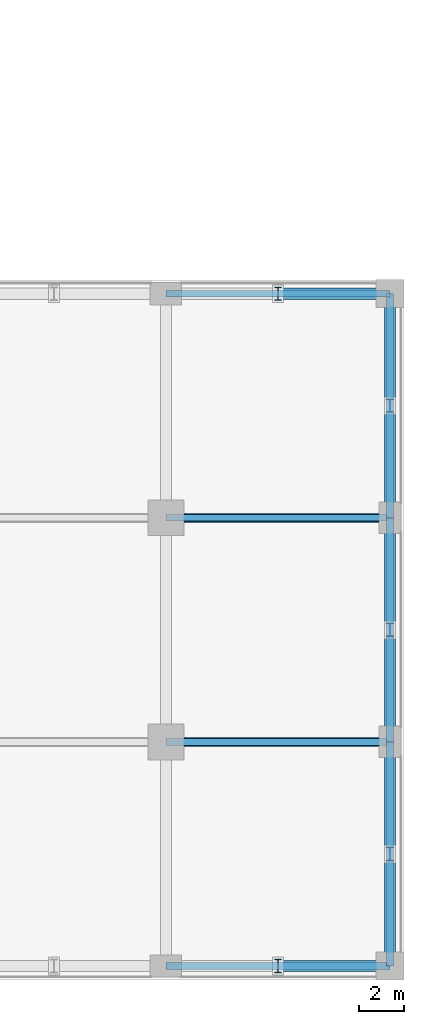
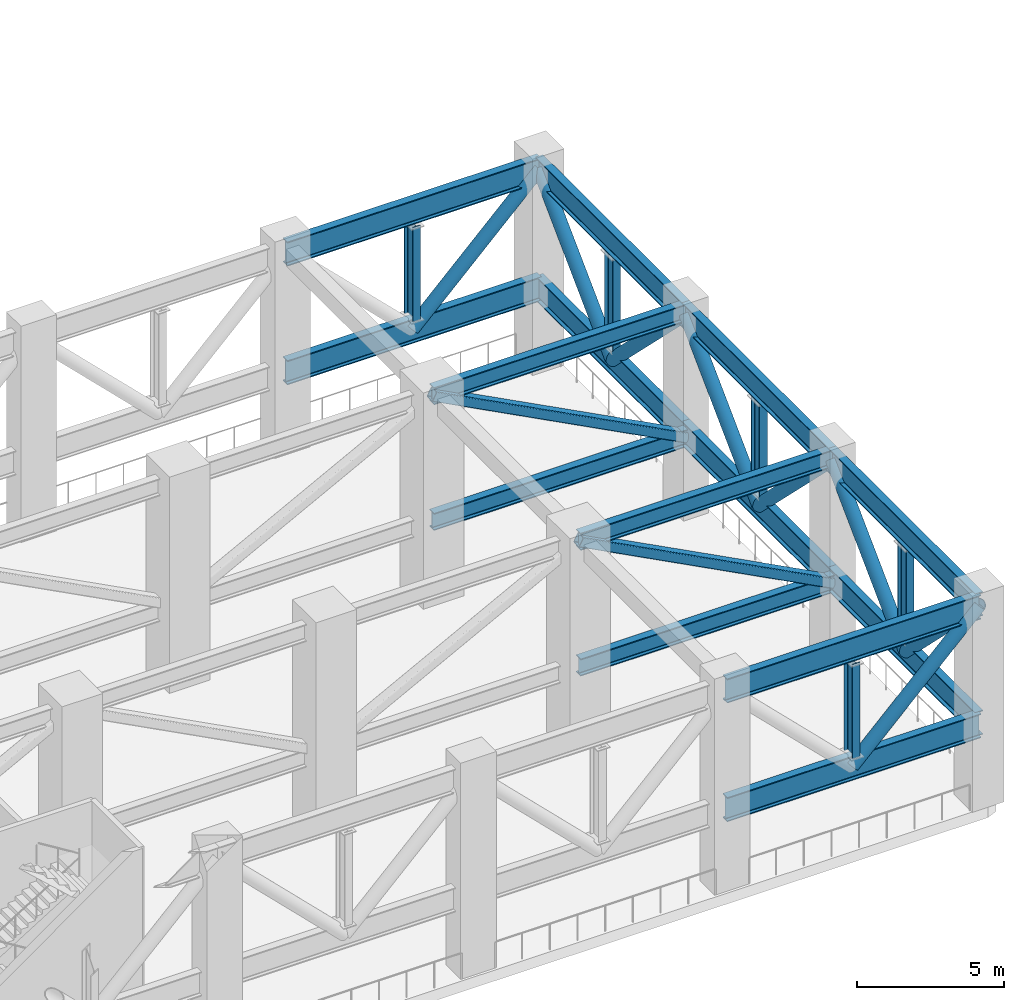
# One storey, part 5 of 14: 29 members.
"""IFC4 building model written with IfcOpenShell, lengths in metres."""

from ifc_helpers import new_model, si_unit, direction, frame, origin, origin_2d, place, context, subcontext, project, spatial, hollow_rectangle, hollow_circle, i_section, extrude, material, material_profile, profile_set, type_object, element, save


model = new_model("IFC4")

# Units and contexts
model_context = context("Model", 3, precision=1e-05, world=origin(), true_north=direction((0.0, 1.0)))
body_context = subcontext(model_context, "Body", "Model", "MODEL_VIEW")
ifc_project = project(units=[si_unit("LENGTHUNIT", "METRE"), si_unit("AREAUNIT", "SQUARE_METRE"), si_unit("VOLUMEUNIT", "CUBIC_METRE"), si_unit("PLANEANGLEUNIT", "RADIAN"), si_unit("MASSUNIT", "GRAM", prefix="KILO")], contexts=[model_context])

# Site, building, storey
site_placement = place(None, origin())
site = spatial("IfcSite", under=ifc_project, at=site_placement, CompositionType="ELEMENT")
building_placement = place(site_placement, origin())
building = spatial("IfcBuilding", under=site, at=building_placement, Name="Qaws Garden Tower", CompositionType="ELEMENT")
storey_placement = place(building_placement, frame((0.0, 0.0, 117.300048828125)))
storey = spatial("IfcBuildingStorey", under=building, at=storey_placement, Name="L29", CompositionType="ELEMENT", Elevation=117.300048828125)

# Members
ifc_material_1 = material(Name="Steel S355", Category="steel")
ifc_material_profile_1 = material_profile(ifc_material_1, i_section(OverallWidth=0.302001953125, OverallDepth=1.008056640625, WebThickness=0.02099609375, FlangeThickness=0.0400390625, FilletRadius=0.030029296875, at=origin_2d()), Name="HEM 1000")
ifc_profile_set_1 = profile_set([ifc_material_profile_1], Name="Steel S355")
member_type_1 = type_object("IfcMemberType", Name="Belt chord HEM 1000", PredefinedType="CHORD", material=ifc_profile_set_1)
for number, where, z_axis, x_axis, name in (
    (1, (60.0, 0.0, 8.0458984375), (1.0, 0.0, 0.0), (0.0, 1.0, 0.0), "Belt truss top chord 5"),
    (2, (60.0, 0.0, 3.10400390625), (1.0, 0.0, 0.0), (0.0, 1.0, 0.0), "Belt truss bottom chord 5"),
    (3, (70.0, 0.0, 8.0458984375), (0.0, 1.0, 0.0), (-1.0, 0.0, 0.0), "Belt truss top chord 6"),
    (4, (70.0, 0.0, 3.10400390625), (0.0, 1.0, 0.0), (-1.0, 0.0, 0.0), "Belt truss bottom chord 6"),
    (5, (70.0, 10.0, 8.0458984375), (0.0, 1.0, 0.0), (-1.0, 0.0, 0.0), "Belt truss top chord 7"),
    (6, (70.0, 10.0, 3.10400390625), (0.0, 1.0, 0.0), (-1.0, 0.0, 0.0), "Belt truss bottom chord 7"),
    (7, (70.0, 20.0, 8.0458984375), (0.0, 1.0, 0.0), (-1.0, 0.0, 0.0), "Belt truss top chord 8"),
    (8, (70.0, 20.0, 3.10400390625), (0.0, 1.0, 0.0), (-1.0, 0.0, 0.0), "Belt truss bottom chord 8"),
    (9, (70.0, 30.0, 8.0458984375), (-1.0, 0.0, 0.0), (0.0, -1.0, 0.0), "Belt truss top chord 9"),
    (10, (70.0, 30.0, 3.10400390625), (-1.0, 0.0, 0.0), (0.0, -1.0, 0.0), "Belt truss bottom chord 9"),
):
    element("IfcMember", number, at=place(storey_placement, frame(where, z_axis=z_axis, x_axis=x_axis)), inside=storey, type_object=member_type_1, Name=name, PredefinedType="CHORD", context=body_context, shape_type="SweptSolid", body=[
        extrude(i_section(OverallWidth=0.302001953125, OverallDepth=1.008056640625, WebThickness=0.02099609375, FlangeThickness=0.0400390625, FilletRadius=0.030029296875, at=origin_2d()), origin(), (0.0, 0.0, 1.0), 10.0),
    ])
ifc_material_2 = material(Name="Steel S355", Category="steel")
ifc_material_profile_2 = material_profile(ifc_material_2, hollow_circle(Radius=0.25390625, WallThickness=0.02490234375, at=origin_2d()), Name="CHS 508x25")
ifc_profile_set_2 = profile_set([ifc_material_profile_2], Name="Steel S355")
member_type_2 = type_object("IfcMemberType", Name="Belt diagonal CHS 508x25", PredefinedType="BRACE", material=ifc_profile_set_2)
for number, where, z_axis, x_axis, name in (
    (11, (65.0, 0.0, 3.10400390625), (0.711227324435, 0.0, 0.702962085021), (0.0, 1.0, 0.0), "Belt truss diagonal 5b"),
    (12, (70.0, 0.0, 8.0458984375), (0.0, 0.711227324435, -0.702962085021), (-1.0, 0.0, 0.0), "Belt truss diagonal 6a"),
    (13, (70.0, 5.0, 3.10400390625), (0.0, 0.711227324435, 0.702962085021), (-1.0, 0.0, 0.0), "Belt truss diagonal 6b"),
    (14, (70.0, 10.0, 8.0458984375), (0.0, 0.711227324435, -0.702962085021), (-1.0, 0.0, 0.0), "Belt truss diagonal 7a"),
    (15, (70.0, 15.0, 3.10400390625), (0.0, 0.711227324435, 0.702962085021), (-1.0, 0.0, 0.0), "Belt truss diagonal 7b"),
    (16, (70.0, 20.0, 8.0458984375), (0.0, 0.711227324435, -0.702962085021), (-1.0, 0.0, 0.0), "Belt truss diagonal 8a"),
    (17, (70.0, 25.0, 3.10400390625), (0.0, 0.711227324435, 0.702962085021), (-1.0, 0.0, 0.0), "Belt truss diagonal 8b"),
    (18, (70.0, 30.0, 8.0458984375), (-0.711227324435, 0.0, -0.702962085021), (0.0, -1.0, 0.0), "Belt truss diagonal 9a"),
):
    element("IfcMember", number, at=place(storey_placement, frame(where, z_axis=z_axis, x_axis=x_axis)), inside=storey, type_object=member_type_2, Name=name, PredefinedType="BRACE", context=body_context, shape_type="SweptSolid", body=[
        extrude(hollow_circle(Radius=0.25390625, WallThickness=0.02490234375, at=origin_2d()), origin(), (0.0, 0.0, 1.0), 7.030029296875),
    ])
ifc_material_3 = material(Name="Steel S355", Category="steel")
ifc_material_profile_3 = material_profile(ifc_material_3, i_section(OverallWidth=0.300048828125, OverallDepth=0.60009765625, WebThickness=0.015380859375, FlangeThickness=0.030029296875, FilletRadius=0.027099609375, at=origin_2d()), Name="HEB 600")
ifc_profile_set_3 = profile_set([ifc_material_profile_3], Name="Steel S355")
member_type_3 = type_object("IfcMemberType", Name="Belt post HEB 600", PredefinedType="POST", material=ifc_profile_set_3)
member_1_placement = place(storey_placement, frame((65.0, 0.0, 3.60791015625), z_axis=(0.0, 0.0, 1.0), x_axis=(1.0, 0.0, 0.0)))
element("IfcMember", 19, at=member_1_placement, inside=storey, type_object=member_type_3, Name="Belt truss post 5", PredefinedType="POST", context=body_context, shape_type="SweptSolid", body=[
    extrude(i_section(OverallWidth=0.300048828125, OverallDepth=0.60009765625, WebThickness=0.015380859375, FlangeThickness=0.030029296875, FilletRadius=0.027099609375, at=origin_2d()), origin(), (0.0, 0.0, 1.0), 3.93408203125),
])
member_2_placement = place(storey_placement, frame((70.0, 5.0, 3.60791015625), z_axis=(0.0, 0.0, 1.0), x_axis=(1.0, 0.0, 0.0)))
element("IfcMember", 20, at=member_2_placement, inside=storey, type_object=member_type_3, Name="Belt truss post 6", PredefinedType="POST", context=body_context, shape_type="SweptSolid", body=[
    extrude(i_section(OverallWidth=0.300048828125, OverallDepth=0.60009765625, WebThickness=0.015380859375, FlangeThickness=0.030029296875, FilletRadius=0.027099609375, at=origin_2d()), origin(), (0.0, 0.0, 1.0), 3.93408203125),
])
member_3_placement = place(storey_placement, frame((70.0, 15.0, 3.60791015625), z_axis=(0.0, 0.0, 1.0), x_axis=(1.0, 0.0, 0.0)))
element("IfcMember", 21, at=member_3_placement, inside=storey, type_object=member_type_3, Name="Belt truss post 7", PredefinedType="POST", context=body_context, shape_type="SweptSolid", body=[
    extrude(i_section(OverallWidth=0.300048828125, OverallDepth=0.60009765625, WebThickness=0.015380859375, FlangeThickness=0.030029296875, FilletRadius=0.027099609375, at=origin_2d()), origin(), (0.0, 0.0, 1.0), 3.93408203125),
])
member_4_placement = place(storey_placement, frame((70.0, 25.0, 3.60791015625), z_axis=(0.0, 0.0, 1.0), x_axis=(1.0, 0.0, 0.0)))
element("IfcMember", 22, at=member_4_placement, inside=storey, type_object=member_type_3, Name="Belt truss post 8", PredefinedType="POST", context=body_context, shape_type="SweptSolid", body=[
    extrude(i_section(OverallWidth=0.300048828125, OverallDepth=0.60009765625, WebThickness=0.015380859375, FlangeThickness=0.030029296875, FilletRadius=0.027099609375, at=origin_2d()), origin(), (0.0, 0.0, 1.0), 3.93408203125),
])
member_5_placement = place(storey_placement, frame((65.0, 30.0, 3.60791015625), z_axis=(0.0, 0.0, 1.0), x_axis=(1.0, 0.0, 0.0)))
element("IfcMember", 23, at=member_5_placement, inside=storey, type_object=member_type_3, Name="Belt truss post 9", PredefinedType="POST", context=body_context, shape_type="SweptSolid", body=[
    extrude(i_section(OverallWidth=0.300048828125, OverallDepth=0.60009765625, WebThickness=0.015380859375, FlangeThickness=0.030029296875, FilletRadius=0.027099609375, at=origin_2d()), origin(), (0.0, 0.0, 1.0), 3.93408203125),
])
ifc_material_4 = material(Name="Steel S355", Category="steel")
ifc_material_profile_4 = material_profile(ifc_material_4, i_section(OverallWidth=0.303955078125, OverallDepth=0.716064453125, WebThickness=0.02099609375, FlangeThickness=0.0400390625, FilletRadius=0.027099609375, at=origin_2d()), Name="HEM 700")
ifc_profile_set_4 = profile_set([ifc_material_profile_4], Name="Steel S355")
member_type_4 = type_object("IfcMemberType", Name="Outrigger chord HEM 700", PredefinedType="CHORD", material=ifc_profile_set_4)
for number, where, z_axis, x_axis, name in (
    (24, (60.0, 10.0, 8.19189453125), (1.0, 0.0, 0.0), (0.0, 1.0, 0.0), "Outrigger 1 top chord 5"),
    (25, (60.0, 10.0, 2.9580078125), (1.0, 0.0, 0.0), (0.0, 1.0, 0.0), "Outrigger 1 bottom chord 5"),
    (26, (60.0, 20.0, 8.19189453125), (1.0, 0.0, 0.0), (0.0, 1.0, 0.0), "Outrigger 2 top chord 5"),
    (27, (60.0, 20.0, 2.9580078125), (1.0, 0.0, 0.0), (0.0, 1.0, 0.0), "Outrigger 2 bottom chord 5"),
):
    element("IfcMember", number, at=place(storey_placement, frame(where, z_axis=z_axis, x_axis=x_axis)), inside=storey, type_object=member_type_4, Name=name, PredefinedType="CHORD", context=body_context, shape_type="SweptSolid", body=[
        extrude(i_section(OverallWidth=0.303955078125, OverallDepth=0.716064453125, WebThickness=0.02099609375, FlangeThickness=0.0400390625, FilletRadius=0.027099609375, at=origin_2d()), origin(), (0.0, 0.0, 1.0), 10.0),
    ])
ifc_material_5 = material(Name="Steel S355", Category="steel")
ifc_material_profile_5 = material_profile(ifc_material_5, hollow_rectangle(XDim=0.39990234375, YDim=0.39990234375, WallThickness=0.02490234375, InnerFilletRadius=0.03759765625, OuterFilletRadius=0.0625, at=origin_2d()), Name="SHS 400x400x25")
ifc_profile_set_5 = profile_set([ifc_material_profile_5], Name="Steel S355")
member_type_5 = type_object("IfcMemberType", Name="Outrigger diagonal SHS 400x400x25", PredefinedType="BRACE", material=ifc_profile_set_5)
for number, where, z_axis, x_axis, name in (
    (28, (60.0, 10.0, 8.19189453125), (0.885984747812, 0.0, -0.463714380459), (0.0, 1.0, 0.0), "Outrigger 1 diagonal 5"),
    (29, (60.0, 20.0, 8.19189453125), (0.885984747812, 0.0, -0.463714380459), (0.0, 1.0, 0.0), "Outrigger 2 diagonal 5"),
):
    element("IfcMember", number, at=place(storey_placement, frame(where, z_axis=z_axis, x_axis=x_axis)), inside=storey, type_object=member_type_5, Name=name, PredefinedType="BRACE", context=body_context, shape_type="SweptSolid", body=[
        extrude(hollow_rectangle(XDim=0.39990234375, YDim=0.39990234375, WallThickness=0.02490234375, InnerFilletRadius=0.03759765625, OuterFilletRadius=0.0625, at=origin_2d()), origin(), (0.0, 0.0, 1.0), 11.286865234375),
    ])

save(model, "model.ifc")
